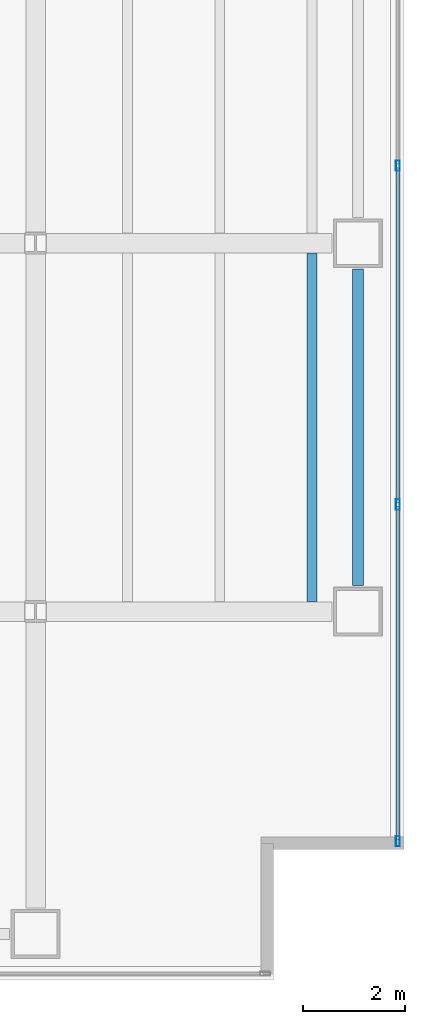
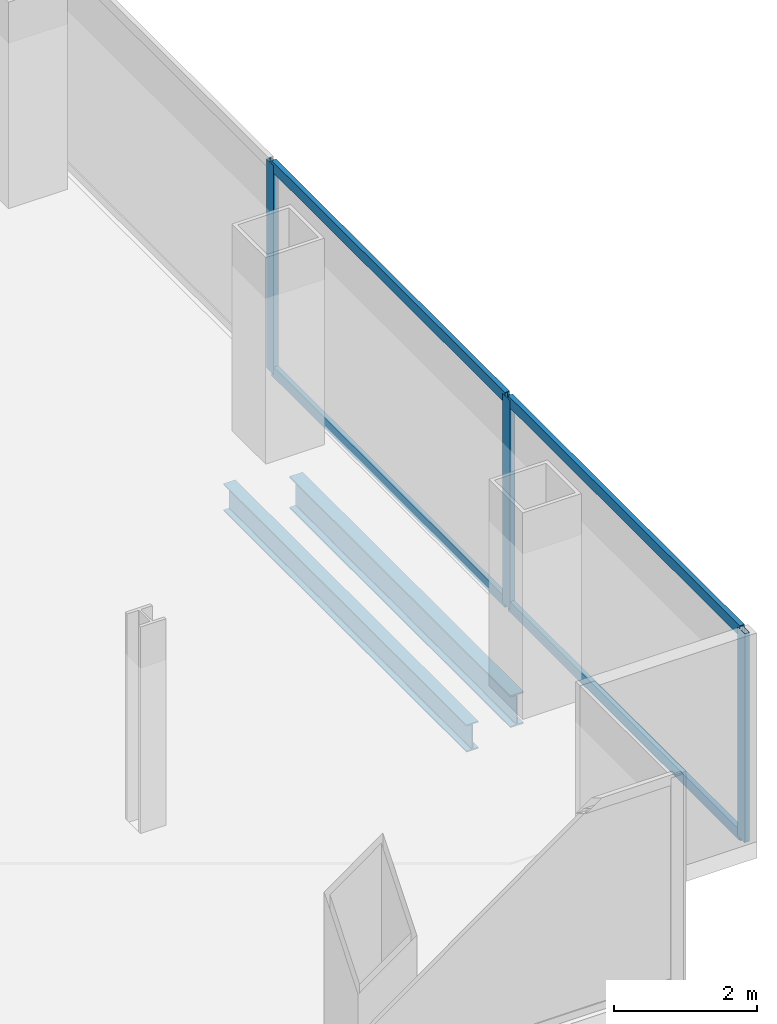
# One storey, part 10 of 24: 7 members, 2 beams, 1 element without a shape of its own.
"""IFC4 building model written with IfcOpenShell, lengths in metres."""

import ifcopenshell
import ifcopenshell.guid

model = None  # the IFC model being written
_history = None  # IfcOwnerHistory: only IFC2X3 demands one
_inside = {}  # id of a spatial element -> (the spatial element, [elements in it])
_under = {}  # id of a project, library or spatial element -> (it, [spatial elements below it])
_declared = {}  # id of a project -> (the project, [libraries it declares])
_typed = {}  # id of a type object -> (the type object, [elements of that type])
_made_of = {}  # id of a material, layer set ... -> (it, [elements and type objects made of it])


def new_model(schema):
    """Start an empty IFC model of exactly this schema.

    Asked for "IFC4X3", IfcOpenShell would pick the latest addendum, in which some entities
    have other attributes; the version numbers below select the first issue.
    IFC2X3 requires an IfcOwnerHistory on every rooted entity: one is made here for all.
    """
    global model, _history
    if schema == "IFC4X3":
        model = ifcopenshell.file(schema_version=(4, 3, 0, 0))
    else:
        model = ifcopenshell.file(schema=schema)
    _inside.clear()
    _under.clear()
    _declared.clear()
    _typed.clear()
    _made_of.clear()
    _history = None
    if model.schema == "IFC2X3":
        org = make("IfcOrganization", Name="unknown")
        user = make(
            "IfcPersonAndOrganization",
            ThePerson=make("IfcPerson", FamilyName="unknown"),
            TheOrganization=org,
        )
        app = make(
            "IfcApplication",
            ApplicationDeveloper=org,
            Version="unknown",
            ApplicationFullName="unknown",
            ApplicationIdentifier="unknown",
        )
        _history = make(
            "IfcOwnerHistory",
            OwningUser=user,
            OwningApplication=app,
            ChangeAction="ADDED",
            CreationDate=0,
        )
    return model


def make(cls, **values):
    """One entity of the class cls with the attributes given. An attribute that is None is left unset."""
    return model.create_entity(
        cls, **{name: value for name, value in values.items() if value is not None}
    )


def rooted(cls, **values):
    """An entity with a GlobalId (a new one), such as an element, a storey or a relation."""
    return make(cls, GlobalId=ifcopenshell.guid.new(), OwnerHistory=_history, **values)


def si_unit(unit_type, name, prefix=None):
    """IfcSIUnit, for example si_unit("LENGTHUNIT", "METRE", prefix="MILLI")."""
    return make("IfcSIUnit", UnitType=unit_type, Prefix=prefix, Name=name)


def assignment(units):
    """IfcUnitAssignment: the units of a project."""
    return None if units is None else make("IfcUnitAssignment", Units=units)


def point(xyz):
    """IfcCartesianPoint."""
    return None if xyz is None else make("IfcCartesianPoint", Coordinates=xyz)


def direction(xyz):
    """IfcDirection."""
    return None if xyz is None else make("IfcDirection", DirectionRatios=xyz)


def frame(location, z_axis=None, x_axis=None):
    """IfcAxis2Placement3D, a coordinate frame: its origin and axes. An axis left out is left unset."""
    return make(
        "IfcAxis2Placement3D",
        Location=point(location),
        Axis=direction(z_axis),
        RefDirection=direction(x_axis),
    )


def frame_2d(location, x_axis=None):
    """IfcAxis2Placement2D, a coordinate frame in the plane: its origin and x axis."""
    return make(
        "IfcAxis2Placement2D", Location=point(location), RefDirection=direction(x_axis)
    )


def origin():
    """The frame at (0, 0, 0) with its axes left unset."""
    return frame((0.0, 0.0, 0.0))


def origin_2d():
    """The frame at (0, 0) in the plane with its x axis left unset."""
    return frame_2d((0.0, 0.0))


def place(relative_to, where):
    """IfcLocalPlacement: puts the frame where relative to a parent placement (None: the world)."""
    return make(
        "IfcLocalPlacement", PlacementRelTo=relative_to, RelativePlacement=where
    )


def context(
    kind, dimensions, precision=None, world=None, true_north=None, identifier=None
):
    """IfcGeometricRepresentationContext, for example the 3D "Model" context."""
    return make(
        "IfcGeometricRepresentationContext",
        ContextIdentifier=identifier,
        ContextType=kind,
        CoordinateSpaceDimension=dimensions,
        Precision=precision,
        WorldCoordinateSystem=world,
        TrueNorth=true_north,
    )


def subcontext(parent, identifier, kind, view, scale=None):
    """IfcGeometricRepresentationSubContext, for example "Body" below "Model"."""
    return make(
        "IfcGeometricRepresentationSubContext",
        ContextIdentifier=identifier,
        ContextType=kind,
        ParentContext=parent,
        TargetScale=scale,
        TargetView=view,
    )


def project(units=None, contexts=None):
    """IfcProject with its units and contexts."""
    return rooted(
        "IfcProject",
        Name="project",
        RepresentationContexts=contexts,
        UnitsInContext=assignment(units),
    )


def spatial(cls, under=None, at=None, **own):
    """A site, building, storey or space (cls), placed at a placement, below another one or the project."""
    s = rooted(cls, ObjectPlacement=at, **own)
    if under is not None:
        _under.setdefault(under.id(), (under, []))[1].append(s)
    return s


def profile(cls, at=None, kind="AREA", **sizes):
    """A parametric profile (cls). Its sizes go by their IFC names, for example OverallWidth=200.0."""
    return make(cls, ProfileType=kind, Position=at, **sizes)


def hollow_rectangle(**sizes):
    """IfcRectangleHollowProfileDef."""
    return profile("IfcRectangleHollowProfileDef", **sizes)


def i_section(**sizes):
    """IfcIShapeProfileDef."""
    return profile("IfcIShapeProfileDef", **sizes)


def extrude(swept, where, along, depth):
    """IfcExtrudedAreaSolid: the profile swept, set in the frame where, extruded along a direction by depth."""
    return make(
        "IfcExtrudedAreaSolid",
        SweptArea=swept,
        Position=where,
        ExtrudedDirection=direction(along),
        Depth=depth,
    )


def shape(context_of_items, identifier, shape_type, items):
    """IfcShapeRepresentation: the items that make up one representation, for example the "Body"."""
    return make(
        "IfcShapeRepresentation",
        ContextOfItems=context_of_items,
        RepresentationIdentifier=identifier,
        RepresentationType=shape_type,
        Items=items,
    )


def material(Name=None, Category=None):
    """IfcMaterial."""
    return make("IfcMaterial", Name=Name, Category=Category)


def material_profile(
    of_material, cross_section, Name=None, Category=None, Priority=None
):
    """IfcMaterialProfile: a cross section and its material."""
    return make(
        "IfcMaterialProfile",
        Name=Name,
        Material=of_material,
        Profile=cross_section,
        Priority=Priority,
        Category=Category,
    )


def profile_set(profiles, Name=None, composite=None):
    """IfcMaterialProfileSet."""
    return make(
        "IfcMaterialProfileSet",
        Name=Name,
        MaterialProfiles=profiles,
        CompositeProfile=composite,
    )


def made_of(thing, what):
    """Note that an element or type object is made of a material, layer set ...; save() writes the relation."""
    if what is not None:
        _made_of.setdefault(what.id(), (what, []))[1].append(thing)
    return thing


def type_object(cls, material=None, **own):
    """A type object (cls), such as IfcWallType, which elements share."""
    return made_of(rooted(cls, **own), material)


def element(
    cls,
    number,
    at=None,
    inside=None,
    cuts=None,
    type_object=None,
    material=None,
    context=None,
    identifier="Body",
    shape_type=None,
    held_by="IfcProductDefinitionShape",
    body=None,
    shapes=None,
    **own,
):
    """One element of the class cls, such as IfcWall. Its Tag is "e" and its number.

    at: its placement. inside: the storey or other place that contains it. cuts: it is an
    opening in that element (IfcRelVoidsElement). A single representation is given by context,
    identifier, shape_type and body (its items); several are given by shapes. held_by: the class
    of the entity that holds the representations. save() writes the other relations.
    """
    e = rooted(cls, Tag="e%d" % number, ObjectPlacement=at, **own)
    if body is not None:
        shapes = [shape(context, identifier, shape_type, body)]
    if shapes is not None:
        e.Representation = make(held_by, Representations=shapes)
    if inside is not None:
        _inside.setdefault(inside.id(), (inside, []))[1].append(e)
    if cuts is not None:
        rooted(
            "IfcRelVoidsElement", RelatingBuildingElement=cuts, RelatedOpeningElement=e
        )
    if type_object is not None:
        _typed.setdefault(type_object.id(), (type_object, []))[1].append(e)
    return made_of(e, material)


def aggregate(whole, parts):
    """IfcRelAggregates: a whole, such as a stair, and the parts it consists of."""
    return rooted("IfcRelAggregates", RelatingObject=whole, RelatedObjects=parts)


def save(model, path):
    """Write the relations noted so far, then the file.

    IfcRelAggregates (storeys below a building ...), IfcRelContainedInSpatialStructure (elements
    in a storey), IfcRelDefinesByType, IfcRelAssociatesMaterial and IfcRelDeclares: one each for
    every whole, place, type object, material and project.
    """
    for whole, parts in _under.values():
        aggregate(whole, parts)
    for where, things in _inside.values():
        rooted(
            "IfcRelContainedInSpatialStructure",
            RelatedElements=things,
            RelatingStructure=where,
        )
    for kind, things in _typed.values():
        rooted("IfcRelDefinesByType", RelatedObjects=things, RelatingType=kind)
    for what, things in _made_of.values():
        rooted("IfcRelAssociatesMaterial", RelatedObjects=things, RelatingMaterial=what)
    for by, libraries in _declared.values():
        rooted("IfcRelDeclares", RelatingContext=by, RelatedDefinitions=libraries)
    model.write(path)


model = new_model("IFC4")

# Units and contexts
model_context = context("Model", 3, precision=1e-05, world=origin(), true_north=direction((0.0, 1.0)))
body_context = subcontext(model_context, "Body", "Model", "MODEL_VIEW")
ifc_project = project(units=[si_unit("LENGTHUNIT", "METRE"), si_unit("AREAUNIT", "SQUARE_METRE"), si_unit("VOLUMEUNIT", "CUBIC_METRE"), si_unit("PLANEANGLEUNIT", "RADIAN"), si_unit("MASSUNIT", "GRAM", prefix="KILO")], contexts=[model_context])

# Site, building, storey
site_placement = place(None, origin())
site = spatial("IfcSite", under=ifc_project, at=site_placement, CompositionType="ELEMENT")
building_placement = place(site_placement, origin())
building = spatial("IfcBuilding", under=site, at=building_placement, Name="Cobrela Telecom Tower", CompositionType="ELEMENT")
storey_placement = place(building_placement, frame((0.0, 0.0, 77.35009765625)))
storey = spatial("IfcBuildingStorey", under=building, at=storey_placement, Name="L19", CompositionType="ELEMENT", Elevation=77.35009765625)

# Beams
ifc_material_1 = material(Name="Steel ASTM A992 Grade 50", Category="steel")
ifc_material_profile_1 = material_profile(ifc_material_1, i_section(OverallWidth=0.193115234375, OverallDepth=0.467041015625, WebThickness=0.011474609375, FlangeThickness=0.01904296875, FilletRadius=0.012939453125, at=origin_2d()), Name="W18X65")
ifc_profile_set_1 = profile_set([ifc_material_profile_1], Name="Steel ASTM A992 Grade 50")
beam_type_1 = type_object("IfcBeamType", Name="BM-JOIST-03", PredefinedType="JOIST", material=ifc_profile_set_1)
beam_1_placement = place(storey_placement, frame((48.60009765625, 7.3955078125, -0.513671875), z_axis=(0.0, 1.0, 0.0), x_axis=(-1.0, 0.0, 0.0)))
element("IfcBeam", 1, at=beam_1_placement, inside=storey, type_object=beam_type_1, Name="L19 Secondary Composite Floor Beam J63", PredefinedType="JOIST", context=body_context, shape_type="SweptSolid", body=[
    extrude(i_section(OverallWidth=0.193115234375, OverallDepth=0.467041015625, WebThickness=0.011474609375, FlangeThickness=0.01904296875, FilletRadius=0.012939453125, at=origin_2d()), origin(), (0.0, 0.0, 1.0), 6.80908203125),
])
ifc_material_profile_2 = material_profile(ifc_material_1, i_section(OverallWidth=0.212890625, OverallDepth=0.549072265625, WebThickness=0.0146484375, FlangeThickness=0.023681640625, FilletRadius=0.013916015625, at=origin_2d()), Name="W21X93")
ifc_profile_set_2 = profile_set([ifc_material_profile_2], Name="Steel ASTM A992 Grade 50")
beam_type_2 = type_object("IfcBeamType", Name="BM-SPAND-03", PredefinedType="SPANDREL", material=ifc_profile_set_2)
beam_2_placement = place(storey_placement, frame((49.5, 7.705078125, -0.5546875), z_axis=(0.0, 1.0, 0.0), x_axis=(-1.0, 0.0, 0.0)))
element("IfcBeam", 2, at=beam_2_placement, inside=storey, type_object=beam_type_2, Name="L19 Perimeter Spandrel Y56", PredefinedType="SPANDREL", context=body_context, shape_type="SweptSolid", body=[
    extrude(i_section(OverallWidth=0.212890625, OverallDepth=0.549072265625, WebThickness=0.0146484375, FlangeThickness=0.023681640625, FilletRadius=0.013916015625, at=origin_2d()), origin(), (0.0, 0.0, 1.0), 6.18994140625),
])

# Curtain wall, members
ifc_material_2 = material(Name="Anodized Bronze Aluminium 6063-T6", Category="aluminium")
curtain_wall_type = type_object("IfcCurtainWallType", Name="CW-SYS-DATA", PredefinedType="USERDEFINED", material=ifc_material_2)
curtain_wall_placement = place(storey_placement, origin())
curtain_wall = element("IfcCurtainWall", 3, at=curtain_wall_placement, inside=storey, type_object=curtain_wall_type, Name="L19 Unitised Bronze Curtain Wall 14", ObjectType="UNITISED CURTAIN WALL", PredefinedType="USERDEFINED")
ifc_material_profile_3 = material_profile(ifc_material_2, hollow_rectangle(XDim=0.080078125, YDim=0.199951171875, WallThickness=0.00390625, at=origin_2d()), Name="ALU 80x200x4")
ifc_profile_set_3 = profile_set([ifc_material_profile_3], Name="Anodized Bronze Aluminium 6063-T6")
member_type_1 = type_object("IfcMemberType", Name="CW-SYS-DATA-MUL", PredefinedType="MULLION", material=ifc_profile_set_3)
member_1_placement = place(storey_placement, frame((50.280029296875, 15.909912109375, 0.0), z_axis=(0.0, 0.0, 1.0), x_axis=(1.0, 0.0, 0.0)))
member_1 = element("IfcMember", 4, at=member_1_placement, type_object=member_type_1, Name="CW-DATA mullion 2", PredefinedType="MULLION", context=body_context, shape_type="SweptSolid", body=[
    extrude(hollow_rectangle(XDim=0.080078125, YDim=0.199951171875, WallThickness=0.00390625, at=origin_2d()), origin(), (0.0, 0.0, 1.0), 3.56982421875),
])
member_2_placement = place(storey_placement, frame((50.280029296875, 9.2900390625, 0.0), z_axis=(0.0, 0.0, 1.0), x_axis=(1.0, 0.0, 0.0)))
member_2 = element("IfcMember", 5, at=member_2_placement, type_object=member_type_1, Name="CW-DATA mullion 3", PredefinedType="MULLION", context=body_context, shape_type="SweptSolid", body=[
    extrude(hollow_rectangle(XDim=0.080078125, YDim=0.199951171875, WallThickness=0.00390625, at=origin_2d()), origin(), (0.0, 0.0, 1.0), 3.56982421875),
])
member_3_placement = place(storey_placement, frame((50.280029296875, 2.7099609375, 0.0), z_axis=(0.0, 0.0, 1.0), x_axis=(1.0, 0.0, 0.0)))
member_3 = element("IfcMember", 6, at=member_3_placement, type_object=member_type_1, Name="CW-DATA mullion 4", PredefinedType="MULLION", context=body_context, shape_type="SweptSolid", body=[
    extrude(hollow_rectangle(XDim=0.080078125, YDim=0.199951171875, WallThickness=0.00390625, at=origin_2d()), origin(), (0.0, 0.0, 1.0), 3.56982421875),
])
ifc_material_profile_4 = material_profile(ifc_material_2, hollow_rectangle(XDim=0.074951171875, YDim=0.179931640625, WallThickness=0.00390625, at=origin_2d()), Name="ALU 75x180x4")
ifc_profile_set_4 = profile_set([ifc_material_profile_4], Name="Anodized Bronze Aluminium 6063-T6")
member_type_2 = type_object("IfcMemberType", Name="CW-SYS-DATA-TRN", PredefinedType="USERDEFINED", material=ifc_profile_set_4)
member_4_placement = place(storey_placement, frame((50.280029296875, 15.8701171875, 0.037353515625), z_axis=(0.0, -1.0, 0.0), x_axis=(1.0, 0.0, 0.0)))
member_4 = element("IfcMember", 7, at=member_4_placement, type_object=member_type_2, Name="CW-DATA transom 2.1", ObjectType="TRANSOM", PredefinedType="USERDEFINED", context=body_context, shape_type="SweptSolid", body=[
    extrude(hollow_rectangle(XDim=0.074951171875, YDim=0.179931640625, WallThickness=0.00390625, at=origin_2d()), origin(), (0.0, 0.0, 1.0), 6.5400390625),
])
member_5_placement = place(storey_placement, frame((50.280029296875, 15.8701171875, 3.532470703125), z_axis=(0.0, -1.0, 0.0), x_axis=(1.0, 0.0, 0.0)))
member_5 = element("IfcMember", 8, at=member_5_placement, type_object=member_type_2, Name="CW-DATA transom 2.2", ObjectType="TRANSOM", PredefinedType="USERDEFINED", context=body_context, shape_type="SweptSolid", body=[
    extrude(hollow_rectangle(XDim=0.074951171875, YDim=0.179931640625, WallThickness=0.00390625, at=origin_2d()), origin(), (0.0, 0.0, 1.0), 6.5400390625),
])
member_6_placement = place(storey_placement, frame((50.280029296875, 9.25, 0.037353515625), z_axis=(0.0, -1.0, 0.0), x_axis=(1.0, 0.0, 0.0)))
member_6 = element("IfcMember", 9, at=member_6_placement, type_object=member_type_2, Name="CW-DATA transom 3.1", ObjectType="TRANSOM", PredefinedType="USERDEFINED", context=body_context, shape_type="SweptSolid", body=[
    extrude(hollow_rectangle(XDim=0.074951171875, YDim=0.179931640625, WallThickness=0.00390625, at=origin_2d()), origin(), (0.0, 0.0, 1.0), 6.5),
])
member_7_placement = place(storey_placement, frame((50.280029296875, 9.25, 3.532470703125), z_axis=(0.0, -1.0, 0.0), x_axis=(1.0, 0.0, 0.0)))
member_7 = element("IfcMember", 10, at=member_7_placement, type_object=member_type_2, Name="CW-DATA transom 3.2", ObjectType="TRANSOM", PredefinedType="USERDEFINED", context=body_context, shape_type="SweptSolid", body=[
    extrude(hollow_rectangle(XDim=0.074951171875, YDim=0.179931640625, WallThickness=0.00390625, at=origin_2d()), origin(), (0.0, 0.0, 1.0), 6.5),
])
aggregate(curtain_wall, [member_1, member_2, member_3, member_4, member_5, member_6, member_7])

save(model, "model.ifc")
